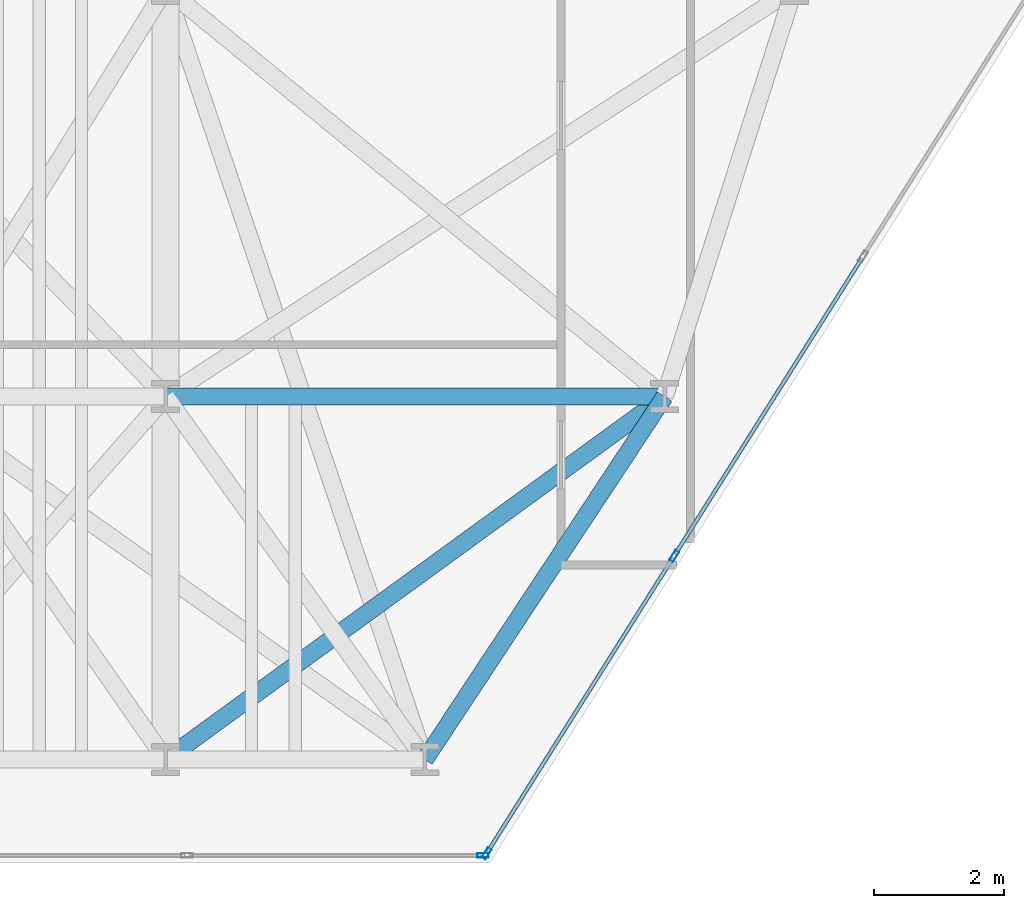
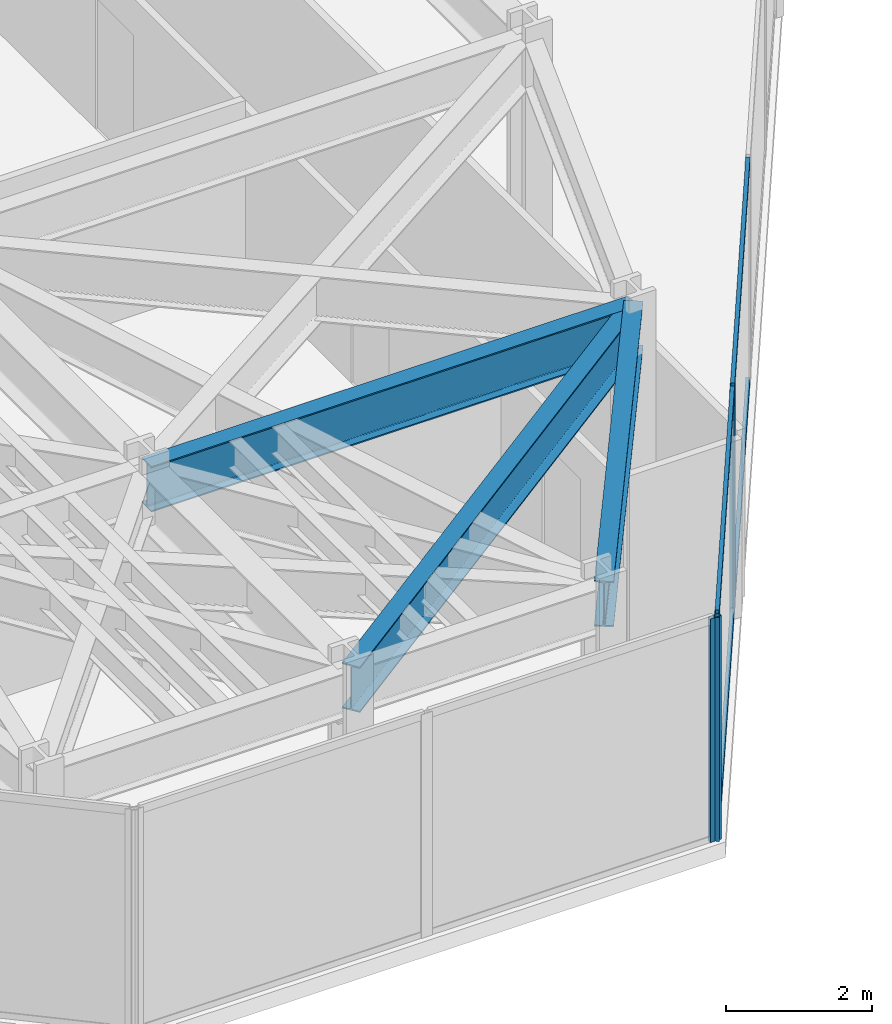
# One storey, part 5 of 24: 7 members, 3 beams, 2 elements without a shape of their own.
"""IFC4 building model written with IfcOpenShell, lengths in metres."""

from ifc_helpers import new_model, si_unit, direction, frame, origin, origin_2d, place, context, subcontext, project, spatial, hollow_rectangle, i_section, extrude, material, layer, layer_set, material_profile, profile_set, type_object, element, aggregate, save


model = new_model("IFC4")

# Units and contexts
model_context = context("Model", 3, precision=1e-05, world=origin(), true_north=direction((0.0, 1.0)))
body_context = subcontext(model_context, "Body", "Model", "MODEL_VIEW")
ifc_project = project(units=[si_unit("LENGTHUNIT", "METRE"), si_unit("AREAUNIT", "SQUARE_METRE"), si_unit("VOLUMEUNIT", "CUBIC_METRE"), si_unit("PLANEANGLEUNIT", "RADIAN"), si_unit("MASSUNIT", "GRAM", prefix="KILO")], contexts=[model_context])

# Site, building, storey
site_placement = place(None, origin())
site = spatial("IfcSite", under=ifc_project, at=site_placement, CompositionType="ELEMENT")
building_placement = place(site_placement, origin())
building = spatial("IfcBuilding", under=site, at=building_placement, Name="Kravanh Interchange Tower", CompositionType="ELEMENT")
storey_placement = place(building_placement, frame((0.0, 0.0, 61.5)))
storey = spatial("IfcBuildingStorey", under=building, at=storey_placement, Name="L14", CompositionType="ELEMENT", Elevation=61.5)

# Curtain wall, members
ifc_material_1 = material(Name="Anodised Bronze Aluminium", Category="aluminium")
ifc_layer = layer(ifc_material_1, 0.179931640625)
ifc_layer_set = layer_set([ifc_layer], Name="Unitised Curtain Wall System CW-Z1 Lower Office")
curtain_wall_type = type_object("IfcCurtainWallType", Name="Unitised Curtain Wall System CW-Z1 Lower Office", PredefinedType="NOTDEFINED", material=ifc_layer_set)
curtain_wall_1_placement = place(storey_placement, origin())
curtain_wall_1 = element("IfcCurtainWall", 1, at=curtain_wall_1_placement, inside=storey, type_object=curtain_wall_type, Name="L14 Unitised Curtain Wall CW-L14-05", PredefinedType="NOTDEFINED")
ifc_material_2 = material(Name="Anodised Bronze Aluminium", Category="aluminium")
ifc_material_profile_1 = material_profile(ifc_material_2, hollow_rectangle(XDim=0.070068359375, YDim=0.179931640625, WallThickness=0.00390625, at=origin_2d()), Name="ALU70X180X4")
ifc_profile_set_1 = profile_set([ifc_material_profile_1], Name="Anodised Bronze Aluminium")
member_type_1 = type_object("IfcMemberType", Name="Curtain Wall Mullion ALU70X180X4 Bronze", PredefinedType="MULLION", material=ifc_profile_set_1)
member_1_placement = place(storey_placement, frame((25.346923828125, 5.740966796875, 0.0), z_axis=(0.0, 0.0, 1.0), x_axis=(0.845925530786, -0.53330103728, 0.0)))
member_1 = element("IfcMember", 2, at=member_1_placement, type_object=member_type_1, Name="CW-Z1 mullion 5", PredefinedType="MULLION", context=body_context, shape_type="SweptSolid", body=[
    extrude(hollow_rectangle(XDim=0.070068359375, YDim=0.179931640625, WallThickness=0.00390625, at=origin_2d()), origin(), (0.0, 0.0, 1.0), 3.739990234375),
])
member_2_placement = place(storey_placement, frame((22.452392578125, 1.149658203125, 0.0), z_axis=(0.0, 0.0, 1.0), x_axis=(0.845925530786, -0.53330103728, 0.0)))
member_2 = element("IfcMember", 3, at=member_2_placement, type_object=member_type_1, Name="CW-Z1 mullion 6", PredefinedType="MULLION", context=body_context, shape_type="SweptSolid", body=[
    extrude(hollow_rectangle(XDim=0.070068359375, YDim=0.179931640625, WallThickness=0.00390625, at=origin_2d()), origin(), (0.0, 0.0, 1.0), 3.739990234375),
])

# Curtain wall, member
curtain_wall_2_placement = place(storey_placement, origin())
curtain_wall_2 = element("IfcCurtainWall", 4, at=curtain_wall_2_placement, inside=storey, type_object=curtain_wall_type, Name="L14 Unitised Curtain Wall CW-L14-06", PredefinedType="NOTDEFINED")
member_3_placement = place(storey_placement, frame((22.398681640625, 1.1201171875, 0.0), z_axis=(0.0, 0.0, 1.0), x_axis=(0.0, -1.0, 0.0)))
member_3 = element("IfcMember", 5, at=member_3_placement, type_object=member_type_1, Name="CW-Z1 mullion 1", PredefinedType="MULLION", context=body_context, shape_type="SweptSolid", body=[
    extrude(hollow_rectangle(XDim=0.070068359375, YDim=0.179931640625, WallThickness=0.00390625, at=origin_2d()), origin(), (0.0, 0.0, 1.0), 3.739990234375),
])
aggregate(curtain_wall_2, [member_3])

# Member
ifc_material_3 = material(Name="Anodised Bronze Aluminium", Category="aluminium")
ifc_material_profile_2 = material_profile(ifc_material_3, hollow_rectangle(XDim=0.06005859375, YDim=0.139892578125, WallThickness=0.00390625, at=origin_2d()), Name="ALU60X140X4")
ifc_profile_set_2 = profile_set([ifc_material_profile_2], Name="Anodised Bronze Aluminium")
member_type_2 = type_object("IfcMemberType", Name="Curtain Wall Transom ALU60X140X4 Bronze", PredefinedType="USERDEFINED", material=ifc_profile_set_2)
member_4_placement = place(storey_placement, frame((28.24169921875, 10.332275390625, 0.030029296875), z_axis=(-0.533311487456, -0.84591894254, 0.0), x_axis=(0.84591894254, -0.533311487456, 0.0)))
member_4 = element("IfcMember", 6, at=member_4_placement, type_object=member_type_2, Name="CW-Z1 transom 4.1", ObjectType="TRANSOM", PredefinedType="USERDEFINED", context=body_context, shape_type="SweptSolid", body=[
    extrude(hollow_rectangle(XDim=0.06005859375, YDim=0.139892578125, WallThickness=0.00390625, at=origin_2d()), origin(), (0.0, 0.0, 1.0), 5.392578125),
])

member_5_placement = place(storey_placement, frame((28.24169921875, 10.332275390625, 3.7099609375), z_axis=(-0.533311487456, -0.84591894254, 0.0), x_axis=(0.84591894254, -0.533311487456, 0.0)))
member_5 = element("IfcMember", 7, at=member_5_placement, type_object=member_type_2, Name="CW-Z1 transom 4.2", ObjectType="TRANSOM", PredefinedType="USERDEFINED", context=body_context, shape_type="SweptSolid", body=[
    extrude(hollow_rectangle(XDim=0.06005859375, YDim=0.139892578125, WallThickness=0.00390625, at=origin_2d()), origin(), (0.0, 0.0, 1.0), 5.392578125),
])

member_6_placement = place(storey_placement, frame((25.328369140625, 5.71142578125, 0.030029296875), z_axis=(-0.533288163518, -0.845933646719, 0.0), x_axis=(0.845933646719, -0.533288163518, 0.0)))
member_6 = element("IfcMember", 8, at=member_6_placement, type_object=member_type_2, Name="CW-Z1 transom 5.1", ObjectType="TRANSOM", PredefinedType="USERDEFINED", context=body_context, shape_type="SweptSolid", body=[
    extrude(hollow_rectangle(XDim=0.06005859375, YDim=0.139892578125, WallThickness=0.00390625, at=origin_2d()), origin(), (0.0, 0.0, 1.0), 5.357666015625),
])

member_7_placement = place(storey_placement, frame((25.328369140625, 5.71142578125, 3.7099609375), z_axis=(-0.533288163518, -0.845933646719, 0.0), x_axis=(0.845933646719, -0.533288163518, 0.0)))
member_7 = element("IfcMember", 9, at=member_7_placement, type_object=member_type_2, Name="CW-Z1 transom 5.2", ObjectType="TRANSOM", PredefinedType="USERDEFINED", context=body_context, shape_type="SweptSolid", body=[
    extrude(hollow_rectangle(XDim=0.06005859375, YDim=0.139892578125, WallThickness=0.00390625, at=origin_2d()), origin(), (0.0, 0.0, 1.0), 5.357666015625),
])

aggregate(curtain_wall_1, [member_1, member_2, member_4, member_5, member_6, member_7])

# Beams
ifc_material_4 = material(Name="Structural Steel S355", Category="steel")
ifc_material_profile_3 = material_profile(ifc_material_4, i_section(OverallWidth=0.26708984375, OverallDepth=0.761962890625, WebThickness=0.014404296875, FlangeThickness=0.021484375, FilletRadius=0.02490234375, at=origin_2d()), Name="W30X116")
ifc_profile_set_3 = profile_set([ifc_material_profile_3], Name="Structural Steel S355")
beam_type = type_object("IfcBeamType", Name="Floor Spandrel W30X116 Structural Steel S355", PredefinedType="SPANDREL", material=ifc_profile_set_3)
beam_1_placement = place(storey_placement, frame((17.5, 2.60009765625, 3.35888671875), z_axis=(0.808741628611, 0.588164074176, 0.0), x_axis=(-0.588164074176, 0.808741628611, 0.0)))
element("IfcBeam", 10, at=beam_1_placement, inside=storey, type_object=beam_type, Name="L14 Perimeter Spandrel 105", PredefinedType="SPANDREL", context=body_context, shape_type="SweptSolid", body=[
    extrude(i_section(OverallWidth=0.26708984375, OverallDepth=0.761962890625, WebThickness=0.014404296875, FlangeThickness=0.021484375, FilletRadius=0.02490234375, at=origin_2d()), origin(), (0.0, 0.0, 1.0), 9.52099609375),
])
beam_2_placement = place(storey_placement, frame((21.5, 2.60009765625, 3.35888671875), z_axis=(0.551262239226, 0.834332034386, 0.0), x_axis=(-0.834332034386, 0.551262239226, 0.0)))
element("IfcBeam", 11, at=beam_2_placement, inside=storey, type_object=beam_type, Name="L14 Perimeter Spandrel 121", PredefinedType="SPANDREL", context=body_context, shape_type="SweptSolid", body=[
    extrude(i_section(OverallWidth=0.26708984375, OverallDepth=0.761962890625, WebThickness=0.014404296875, FlangeThickness=0.021484375, FilletRadius=0.02490234375, at=origin_2d()), origin(), (0.0, 0.0, 1.0), 6.711669921875),
])
beam_3_placement = place(storey_placement, frame((17.5, 8.199951171875, 3.35888671875), z_axis=(1.0, 0.0, 0.0), x_axis=(0.0, 1.0, 0.0)))
element("IfcBeam", 12, at=beam_3_placement, inside=storey, type_object=beam_type, Name="L14 Perimeter Spandrel 137", PredefinedType="SPANDREL", context=body_context, shape_type="SweptSolid", body=[
    extrude(i_section(OverallWidth=0.26708984375, OverallDepth=0.761962890625, WebThickness=0.014404296875, FlangeThickness=0.021484375, FilletRadius=0.02490234375, at=origin_2d()), origin(), (0.0, 0.0, 1.0), 7.699951171875),
])

save(model, "model.ifc")
